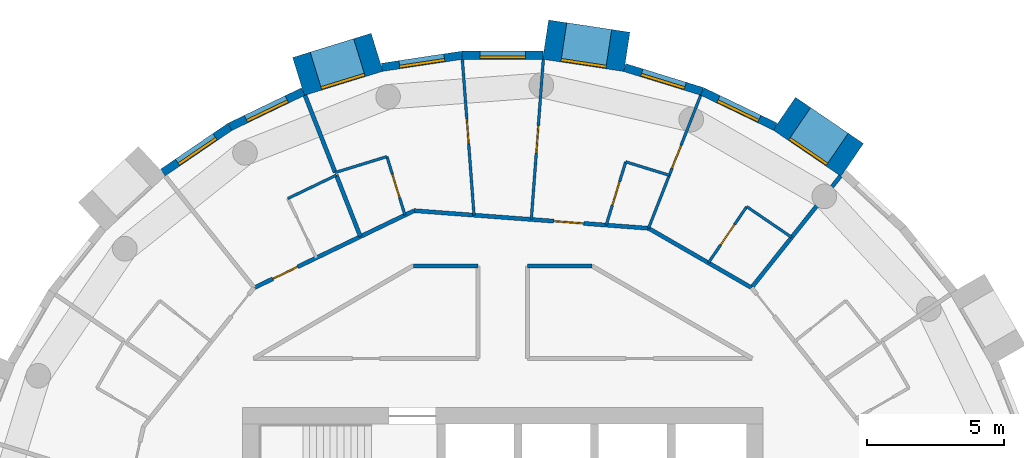
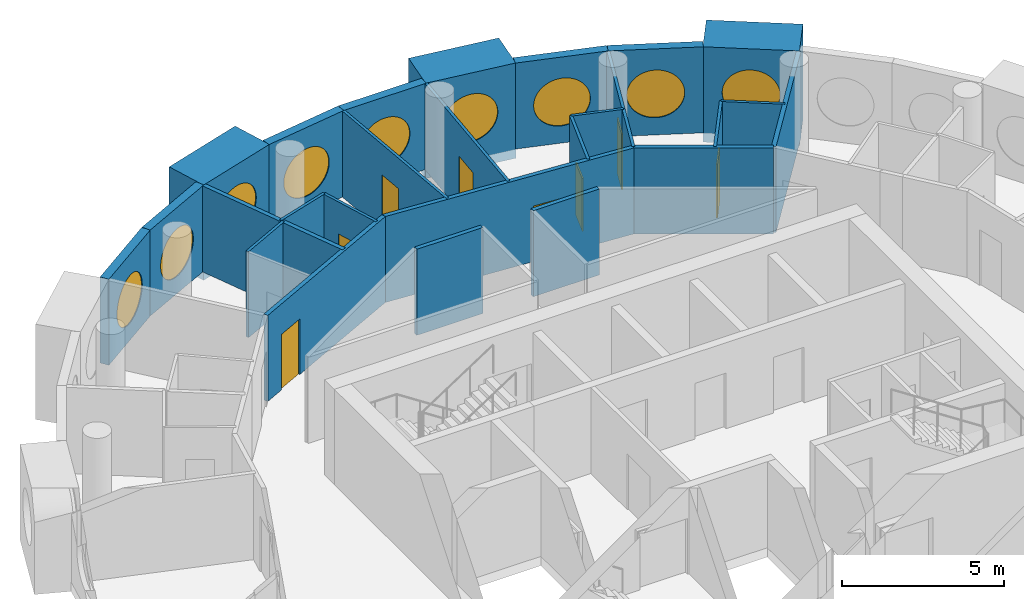
# One storey, part 10 of 12: 28 walls, 9 windows, 8 doors, 17 openings.
"""IFC4 building model written with IfcOpenShell, lengths in metres."""

from ifc_helpers import new_model, si_unit, direction, frame, frame_2d, origin, origin_2d, place, context, subcontext, project, spatial, rectangle, circle, extrude, material, layer, layer_set, type_object, element, fill, save


model = new_model("IFC4")

# Units and contexts
model_context = context("Model", 3, precision=1e-05, world=origin(), true_north=direction((0.0, 1.0)))
body_context = subcontext(model_context, "Body", "Model", "MODEL_VIEW")
ifc_project = project(units=[si_unit("LENGTHUNIT", "METRE"), si_unit("AREAUNIT", "SQUARE_METRE"), si_unit("VOLUMEUNIT", "CUBIC_METRE"), si_unit("PLANEANGLEUNIT", "RADIAN"), si_unit("MASSUNIT", "GRAM", prefix="KILO")], contexts=[model_context])

# Site, building, storey
site_placement = place(None, origin())
site = spatial("IfcSite", under=ifc_project, at=site_placement, CompositionType="ELEMENT")
building_placement = place(site_placement, origin())
building = spatial("IfcBuilding", under=site, at=building_placement, Name="Tracery Tower", CompositionType="ELEMENT")
storey_placement = place(building_placement, frame((0.0, 0.0, 312.60009765625)))
storey = spatial("IfcBuildingStorey", under=building, at=storey_placement, Name="L81", CompositionType="ELEMENT", Elevation=312.60009765625)

# Wall, opening, window
ifc_material_1 = material(Name="Precast concrete C50/60", Category="concrete")
ifc_layer_1 = layer(ifc_material_1, 1.449951171875)
ifc_layer_set_1 = layer_set([ifc_layer_1], Name="Deep-set bay unit 3000 x 3600, slab edge 350")
wall_type_1 = type_object("IfcWallType", Name="Deep-set bay unit 3000 x 3600, slab edge 350", PredefinedType="ELEMENTEDWALL", material=ifc_layer_set_1)
wall_1_placement = place(storey_placement, frame((12.754150390625, 16.044189453125, -0.35009765625), z_axis=(0.0, 0.0, 1.0), x_axis=(-0.826246281157, 0.563309047392, 0.0)))
wall_1 = element("IfcWall", 1, at=wall_1_placement, inside=storey, type_object=wall_type_1, Name="Deep-set bay unit 7 at L81", PredefinedType="ELEMENTEDWALL", context=body_context, shape_type="SweptSolid", body=[
    extrude(rectangle(XDim=3.0, YDim=1.449951171875, at=frame_2d((1.5, 0.0))), origin(), (0.0, 0.0, 1.0), 3.60009765625),
])
opening_1_placement = place(wall_1_placement, frame((1.5, 0.0, 1.89990234375)))
opening_1 = element("IfcOpeningElement", 2, at=opening_1_placement, cuts=wall_1, Name="Opening WN1", PredefinedType="OPENING", context=body_context, shape_type="SweptSolid", body=[
    extrude(circle(Radius=0.9000244140625, at=origin_2d()), frame((0.0, 0.73486328125, 0.0), z_axis=(0.0, -1.0, 0.0), x_axis=(1.0, 0.0, 0.0)), (0.0, 0.0, 1.0), 1.469970703125),
])
ifc_material_2 = material(Name="Aluminium frame with tinted double glazing", Category="aluminium")
window_type = type_object("IfcWindowType", Name="Round window 1800", PartitioningType="SINGLE_PANEL", PredefinedType="WINDOW", material=ifc_material_2)
window_1_placement = place(opening_1_placement, origin())
window_1 = element("IfcWindow", 3, at=window_1_placement, inside=storey, type_object=window_type, Name="Round window 7 at L81", OverallHeight=1.800048828125, OverallWidth=1.800048828125, PartitioningType="SINGLE_PANEL", PredefinedType="WINDOW", context=body_context, shape_type="SweptSolid", body=[
    extrude(circle(Radius=0.9000244140625, at=origin_2d()), frame((0.0, 0.69482421875, 0.0), z_axis=(0.0, -1.0, 0.0), x_axis=(1.0, 0.0, 0.0)), (0.0, 0.0, 1.0), 0.10009765625),
])
fill(opening_1, window_1)

wall_2_placement = place(storey_placement, frame((4.52978515625, 19.9892578125, -0.35009765625), z_axis=(0.0, 0.0, 1.0), x_axis=(-0.988836445254, 0.149004981587, 0.0)))
wall_2 = element("IfcWall", 4, at=wall_2_placement, inside=storey, type_object=wall_type_1, Name="Deep-set bay unit 10 at L81", PredefinedType="ELEMENTEDWALL", context=body_context, shape_type="SweptSolid", body=[
    extrude(rectangle(XDim=3.0, YDim=1.449951171875, at=frame_2d((1.5, 0.0))), origin(), (0.0, 0.0, 1.0), 3.60009765625),
])
opening_2_placement = place(wall_2_placement, frame((1.5, 0.0, 1.89990234375)))
opening_2 = element("IfcOpeningElement", 5, at=opening_2_placement, cuts=wall_2, Name="Opening WN1", PredefinedType="OPENING", context=body_context, shape_type="SweptSolid", body=[
    extrude(circle(Radius=0.9000244140625, at=origin_2d()), frame((0.0, 0.73486328125, 0.0), z_axis=(0.0, -1.0, 0.0), x_axis=(1.0, 0.0, 0.0)), (0.0, 0.0, 1.0), 1.469970703125),
])
window_2_placement = place(opening_2_placement, origin())
window_2 = element("IfcWindow", 6, at=window_2_placement, inside=storey, type_object=window_type, Name="Round window 10 at L81", OverallHeight=1.800048828125, OverallWidth=1.800048828125, PartitioningType="SINGLE_PANEL", PredefinedType="WINDOW", context=body_context, shape_type="SweptSolid", body=[
    extrude(circle(Radius=0.9000244140625, at=origin_2d()), frame((0.0, 0.69482421875, 0.0), z_axis=(0.0, -1.0, 0.0), x_axis=(1.0, 0.0, 0.0)), (0.0, 0.0, 1.0), 0.10009765625),
])
fill(opening_2, window_2)

wall_3_placement = place(storey_placement, frame((-4.591796875, 19.97509765625, -0.35009765625), z_axis=(0.0, 0.0, 1.0), x_axis=(-0.955571139978, -0.294760574774, 0.0)))
wall_3 = element("IfcWall", 7, at=wall_3_placement, inside=storey, type_object=wall_type_1, Name="Deep-set bay unit 13 at L81", PredefinedType="ELEMENTEDWALL", context=body_context, shape_type="SweptSolid", body=[
    extrude(rectangle(XDim=3.0, YDim=1.449951171875, at=frame_2d((1.5, 0.0))), origin(), (0.0, 0.0, 1.0), 3.60009765625),
])
opening_3_placement = place(wall_3_placement, frame((1.5, 0.0, 1.89990234375)))
opening_3 = element("IfcOpeningElement", 8, at=opening_3_placement, cuts=wall_3, Name="Opening WN1", PredefinedType="OPENING", context=body_context, shape_type="SweptSolid", body=[
    extrude(circle(Radius=0.9000244140625, at=origin_2d()), frame((0.0, 0.73486328125, 0.0), z_axis=(0.0, -1.0, 0.0), x_axis=(1.0, 0.0, 0.0)), (0.0, 0.0, 1.0), 1.469970703125),
])
window_3_placement = place(opening_3_placement, origin())
window_3 = element("IfcWindow", 9, at=window_3_placement, inside=storey, type_object=window_type, Name="Round window 13 at L81", OverallHeight=1.800048828125, OverallWidth=1.800048828125, PartitioningType="SINGLE_PANEL", PredefinedType="WINDOW", context=body_context, shape_type="SweptSolid", body=[
    extrude(circle(Radius=0.9000244140625, at=origin_2d()), frame((0.0, 0.69482421875, 0.0), z_axis=(0.0, -1.0, 0.0), x_axis=(1.0, 0.0, 0.0)), (0.0, 0.0, 1.0), 0.10009765625),
])
fill(opening_3, window_3)

ifc_material_3 = material(Name="Precast concrete C50/60", Category="concrete")
ifc_layer_2 = layer(ifc_material_3, 0.300048828125)
ifc_layer_set_2 = layer_set([ifc_layer_2], Name="Facade panel 3000 x 3250")
wall_type_2 = type_object("IfcWallType", Name="Facade panel 3000 x 3250", PredefinedType="SOLIDWALL", material=ifc_layer_set_2)
wall_4_placement = place(storey_placement, frame((9.947021484375, 17.25927734375, 0.0), z_axis=(0.0, 0.0, 1.0), x_axis=(-0.900939615635, 0.433944476838, 0.0)))
wall_4 = element("IfcWall", 10, at=wall_4_placement, inside=storey, type_object=wall_type_2, Name="Facade panel 8 at L81", PredefinedType="SOLIDWALL", context=body_context, shape_type="SweptSolid", body=[
    extrude(rectangle(XDim=2.962158203125, YDim=0.300048828125, at=frame_2d((1.48095703125, 0.0))), origin(), (0.0, 0.0, 1.0), 3.25),
])
opening_4_placement = place(wall_4_placement, frame((1.48095703125, 0.0, 1.5498046875)))
opening_4 = element("IfcOpeningElement", 11, at=opening_4_placement, cuts=wall_4, Name="Opening WN1", PredefinedType="OPENING", context=body_context, shape_type="SweptSolid", body=[
    extrude(circle(Radius=0.9000244140625, at=origin_2d()), frame((0.0, 0.159912109375, 0.0), z_axis=(0.0, -1.0, 0.0), x_axis=(1.0, 0.0, 0.0)), (0.0, 0.0, 1.0), 0.320068359375),
])
window_4_placement = place(opening_4_placement, origin())
window_4 = element("IfcWindow", 12, at=window_4_placement, inside=storey, type_object=window_type, Name="Round window 8 at L81", OverallHeight=1.800048828125, OverallWidth=1.800048828125, PartitioningType="SINGLE_PANEL", PredefinedType="WINDOW", context=body_context, shape_type="SweptSolid", body=[
    extrude(circle(Radius=0.9000244140625, at=origin_2d()), frame((0.0, 0.1201171875, 0.0), z_axis=(0.0, -1.0, 0.0), x_axis=(1.0, 0.0, 0.0)), (0.0, 0.0, 1.0), 0.10009765625),
])
fill(opening_4, window_4)

wall_5_placement = place(storey_placement, frame((7.2783203125, 18.544677734375, 0.0), z_axis=(0.0, 0.0, 1.0), x_axis=(-0.95558635705, 0.294711238707, 0.0)))
wall_5 = element("IfcWall", 13, at=wall_5_placement, inside=storey, type_object=wall_type_2, Name="Facade panel 9 at L81", PredefinedType="SOLIDWALL", context=body_context, shape_type="SweptSolid", body=[
    extrude(rectangle(XDim=2.96240234375, YDim=0.300048828125, at=frame_2d((1.481201171875, 0.0))), origin(), (0.0, 0.0, 1.0), 3.25),
])
opening_5_placement = place(wall_5_placement, frame((1.48095703125, 0.0, 1.5498046875)))
opening_5 = element("IfcOpeningElement", 14, at=opening_5_placement, cuts=wall_5, Name="Opening WN1", PredefinedType="OPENING", context=body_context, shape_type="SweptSolid", body=[
    extrude(circle(Radius=0.9000244140625, at=origin_2d()), frame((0.0, 0.159912109375, 0.0), z_axis=(0.0, -1.0, 0.0), x_axis=(1.0, 0.0, 0.0)), (0.0, 0.0, 1.0), 0.320068359375),
])
window_5_placement = place(opening_5_placement, origin())
window_5 = element("IfcWindow", 15, at=window_5_placement, inside=storey, type_object=window_type, Name="Round window 9 at L81", OverallHeight=1.800048828125, OverallWidth=1.800048828125, PartitioningType="SINGLE_PANEL", PredefinedType="WINDOW", context=body_context, shape_type="SweptSolid", body=[
    extrude(circle(Radius=0.9000244140625, at=origin_2d()), frame((0.0, 0.1201171875, 0.0), z_axis=(0.0, -1.0, 0.0), x_axis=(1.0, 0.0, 0.0)), (0.0, 0.0, 1.0), 0.10009765625),
])
fill(opening_5, window_5)

wall_6_placement = place(storey_placement, frame((1.473388671875, 19.865966796875, 0.0), z_axis=(0.0, 0.0, 1.0), x_axis=(-1.0, 0.0, 0.0)))
wall_6 = element("IfcWall", 16, at=wall_6_placement, inside=storey, type_object=wall_type_2, Name="Facade panel 11 at L81", PredefinedType="SOLIDWALL", context=body_context, shape_type="SweptSolid", body=[
    extrude(rectangle(XDim=2.962158203125, YDim=0.300048828125, at=frame_2d((1.48095703125, 0.0))), origin(), (0.0, 0.0, 1.0), 3.25),
])
opening_6_placement = place(wall_6_placement, frame((1.48095703125, 0.0, 1.5498046875)))
opening_6 = element("IfcOpeningElement", 17, at=opening_6_placement, cuts=wall_6, Name="Opening WN1", PredefinedType="OPENING", context=body_context, shape_type="SweptSolid", body=[
    extrude(circle(Radius=0.9000244140625, at=origin_2d()), frame((0.0, 0.159912109375, 0.0), z_axis=(0.0, -1.0, 0.0), x_axis=(1.0, 0.0, 0.0)), (0.0, 0.0, 1.0), 0.320068359375),
])
window_6_placement = place(opening_6_placement, origin())
window_6 = element("IfcWindow", 18, at=window_6_placement, inside=storey, type_object=window_type, Name="Round window 11 at L81", OverallHeight=1.800048828125, OverallWidth=1.800048828125, PartitioningType="SINGLE_PANEL", PredefinedType="WINDOW", context=body_context, shape_type="SweptSolid", body=[
    extrude(circle(Radius=0.9000244140625, at=origin_2d()), frame((0.0, 0.1201171875, 0.0), z_axis=(0.0, -1.0, 0.0), x_axis=(1.0, 0.0, 0.0)), (0.0, 0.0, 1.0), 0.10009765625),
])
fill(opening_6, window_6)

wall_7_placement = place(storey_placement, frame((-1.48876953125, 19.865966796875, 0.0), z_axis=(0.0, 0.0, 1.0), x_axis=(-0.988835775663, -0.149009425104, 0.0)))
wall_7 = element("IfcWall", 19, at=wall_7_placement, inside=storey, type_object=wall_type_2, Name="Facade panel 12 at L81", PredefinedType="SOLIDWALL", context=body_context, shape_type="SweptSolid", body=[
    extrude(rectangle(XDim=2.962158203125, YDim=0.300048828125, at=frame_2d((1.48095703125, 0.0))), origin(), (0.0, 0.0, 1.0), 3.25),
])
opening_7_placement = place(wall_7_placement, frame((1.48095703125, 0.0, 1.5498046875)))
opening_7 = element("IfcOpeningElement", 20, at=opening_7_placement, cuts=wall_7, Name="Opening WN1", PredefinedType="OPENING", context=body_context, shape_type="SweptSolid", body=[
    extrude(circle(Radius=0.9000244140625, at=origin_2d()), frame((0.0, 0.159912109375, 0.0), z_axis=(0.0, -1.0, 0.0), x_axis=(1.0, 0.0, 0.0)), (0.0, 0.0, 1.0), 0.320068359375),
])
window_7_placement = place(opening_7_placement, origin())
window_7 = element("IfcWindow", 21, at=window_7_placement, inside=storey, type_object=window_type, Name="Round window 12 at L81", OverallHeight=1.800048828125, OverallWidth=1.800048828125, PartitioningType="SINGLE_PANEL", PredefinedType="WINDOW", context=body_context, shape_type="SweptSolid", body=[
    extrude(circle(Radius=0.9000244140625, at=origin_2d()), frame((0.0, 0.1201171875, 0.0), z_axis=(0.0, -1.0, 0.0), x_axis=(1.0, 0.0, 0.0)), (0.0, 0.0, 1.0), 0.10009765625),
])
fill(opening_7, window_7)

wall_8_placement = place(storey_placement, frame((-7.2919921875, 18.5380859375, 0.0), z_axis=(0.0, 0.0, 1.0), x_axis=(-0.90095513435, -0.433912255978, 0.0)))
wall_8 = element("IfcWall", 22, at=wall_8_placement, inside=storey, type_object=wall_type_2, Name="Facade panel 14 at L81", PredefinedType="SOLIDWALL", context=body_context, shape_type="SweptSolid", body=[
    extrude(rectangle(XDim=2.96240234375, YDim=0.300048828125, at=frame_2d((1.481201171875, 0.0))), origin(), (0.0, 0.0, 1.0), 3.25),
])
opening_8_placement = place(wall_8_placement, frame((1.48095703125, 0.0, 1.5498046875)))
opening_8 = element("IfcOpeningElement", 23, at=opening_8_placement, cuts=wall_8, Name="Opening WN1", PredefinedType="OPENING", context=body_context, shape_type="SweptSolid", body=[
    extrude(circle(Radius=0.9000244140625, at=origin_2d()), frame((0.0, 0.159912109375, 0.0), z_axis=(0.0, -1.0, 0.0), x_axis=(1.0, 0.0, 0.0)), (0.0, 0.0, 1.0), 0.320068359375),
])
window_8_placement = place(opening_8_placement, origin())
window_8 = element("IfcWindow", 24, at=window_8_placement, inside=storey, type_object=window_type, Name="Round window 14 at L81", OverallHeight=1.800048828125, OverallWidth=1.800048828125, PartitioningType="SINGLE_PANEL", PredefinedType="WINDOW", context=body_context, shape_type="SweptSolid", body=[
    extrude(circle(Radius=0.9000244140625, at=origin_2d()), frame((0.0, 0.1201171875, 0.0), z_axis=(0.0, -1.0, 0.0), x_axis=(1.0, 0.0, 0.0)), (0.0, 0.0, 1.0), 0.10009765625),
])
fill(opening_8, window_8)

wall_9_placement = place(storey_placement, frame((-9.9609375, 17.252685546875, 0.0), z_axis=(0.0, 0.0, 1.0), x_axis=(-0.826236061068, -0.563324037646, 0.0)))
wall_9 = element("IfcWall", 25, at=wall_9_placement, inside=storey, type_object=wall_type_2, Name="Facade panel 15 at L81", PredefinedType="SOLIDWALL", context=body_context, shape_type="SweptSolid", body=[
    extrude(rectangle(XDim=2.962158203125, YDim=0.300048828125, at=frame_2d((1.48095703125, 0.0))), origin(), (0.0, 0.0, 1.0), 3.25),
])
opening_9_placement = place(wall_9_placement, frame((1.48095703125, 0.0, 1.5498046875)))
opening_9 = element("IfcOpeningElement", 26, at=opening_9_placement, cuts=wall_9, Name="Opening WN1", PredefinedType="OPENING", context=body_context, shape_type="SweptSolid", body=[
    extrude(circle(Radius=0.9000244140625, at=origin_2d()), frame((0.0, 0.159912109375, 0.0), z_axis=(0.0, -1.0, 0.0), x_axis=(1.0, 0.0, 0.0)), (0.0, 0.0, 1.0), 0.320068359375),
])
window_9_placement = place(opening_9_placement, origin())
window_9 = element("IfcWindow", 27, at=window_9_placement, inside=storey, type_object=window_type, Name="Round window 15 at L81", OverallHeight=1.800048828125, OverallWidth=1.800048828125, PartitioningType="SINGLE_PANEL", PredefinedType="WINDOW", context=body_context, shape_type="SweptSolid", body=[
    extrude(circle(Radius=0.9000244140625, at=origin_2d()), frame((0.0, 0.1201171875, 0.0), z_axis=(0.0, -1.0, 0.0), x_axis=(1.0, 0.0, 0.0)), (0.0, 0.0, 1.0), 0.10009765625),
])
fill(opening_9, window_9)

# Wall, opening, door
ifc_material_4 = material(Name="Plasterboard on steel studs", Category="steel")
ifc_layer_3 = layer(ifc_material_4, 0.10009765625)
ifc_layer_set_3 = layer_set([ifc_layer_3], Name="Partition 100 stud")
wall_type_3 = type_object("IfcWallType", Name="Partition 100 stud", PredefinedType="PARTITIONING", material=ifc_layer_set_3)
wall_10_placement = place(storey_placement, frame((1.0400390625, 13.87109375, 0.0), z_axis=(0.0, 0.0, 1.0), x_axis=(0.074724712234, 0.997204200443, 0.0)))
wall_10 = element("IfcWall", 28, at=wall_10_placement, inside=storey, type_object=wall_type_3, Name="Stud partition RC8-054", PredefinedType="PARTITIONING", context=body_context, shape_type="SweptSolid", body=[
    extrude(rectangle(XDim=5.861328125, YDim=0.10009765625, at=frame_2d((2.9306640625, 0.0))), origin(), (0.0, 0.0, 1.0), 3.25),
])
opening_10_placement = place(wall_10_placement, frame((2.430908203125, 0.0, 0.0)))
opening_10 = element("IfcOpeningElement", 29, at=opening_10_placement, cuts=wall_10, Name="Opening RC8-11", PredefinedType="OPENING", context=body_context, shape_type="SweptSolid", body=[
    extrude(rectangle(XDim=1.0, YDim=2.0400390625, at=frame_2d((0.5, 1.02001953125))), frame((0.0, 0.050048828125, 0.0), z_axis=(0.0, -1.0, 0.0), x_axis=(1.0, 0.0, 0.0)), (0.0, 0.0, 1.0), 0.10009765625),
])
ifc_material_5 = material(Name="Timber door leaf", Category="wood")
door_type_1 = type_object("IfcDoorType", Name="Door communal room 1000", OperationType="NOTDEFINED", PredefinedType="DOOR", material=ifc_material_5)
door_1_placement = place(opening_10_placement, origin())
door_1 = element("IfcDoor", 30, at=door_1_placement, inside=storey, type_object=door_type_1, Name="Communal room door RC8-11", OperationType="SINGLE_SWING_RIGHT", OverallHeight=2.0400390625, OverallWidth=1.0, PredefinedType="DOOR", context=body_context, shape_type="SweptSolid", body=[
    extrude(rectangle(XDim=1.0, YDim=2.0400390625, at=frame_2d((0.5, 1.02001953125))), frame((0.0, 0.02490234375, 0.0), z_axis=(0.0, -1.0, 0.0), x_axis=(1.0, 0.0, 0.0)), (0.0, 0.0, 1.0), 0.050048828125),
])
fill(opening_10, door_1)

wall_11_placement = place(storey_placement, frame((6.076904296875, 15.485107421875, 0.0), z_axis=(0.0, 0.0, 1.0), x_axis=(0.365344119851, 0.93087253375, 0.0)))
wall_11 = element("IfcWall", 31, at=wall_11_placement, inside=storey, type_object=wall_type_3, Name="Stud partition RC8-057", PredefinedType="PARTITIONING", context=body_context, shape_type="SweptSolid", body=[
    extrude(rectangle(XDim=3.13671875, YDim=0.10009765625, at=frame_2d((1.568359375, 0.0))), origin(), (0.0, 0.0, 1.0), 3.25),
])
opening_11_placement = place(wall_11_placement, frame((0.27685546875, 0.0, 0.0)))
opening_11 = element("IfcOpeningElement", 32, at=opening_11_placement, cuts=wall_11, Name="Opening RC8-13", PredefinedType="OPENING", context=body_context, shape_type="SweptSolid", body=[
    extrude(rectangle(XDim=0.89990234375, YDim=2.10009765625, at=frame_2d((0.449951171875, 1.050048828125))), frame((0.0, 0.050048828125, 0.0), z_axis=(0.0, -1.0, 0.0), x_axis=(1.0, 0.0, 0.0)), (0.0, 0.0, 1.0), 0.10009765625),
])
ifc_material_6 = material(Name="Timber door leaf", Category="wood")
door_type_2 = type_object("IfcDoorType", Name="Door bedroom 900", OperationType="NOTDEFINED", PredefinedType="DOOR", material=ifc_material_6)
door_2_placement = place(opening_11_placement, origin())
door_2 = element("IfcDoor", 33, at=door_2_placement, inside=storey, type_object=door_type_2, Name="Bedroom door RC8-13", OperationType="SINGLE_SWING_RIGHT", OverallHeight=2.10009765625, OverallWidth=0.89990234375, PredefinedType="DOOR", context=body_context, shape_type="SweptSolid", body=[
    extrude(rectangle(XDim=0.89990234375, YDim=2.10009765625, at=frame_2d((0.449951171875, 1.050048828125))), frame((0.0, 0.02490234375, 0.0), z_axis=(0.0, -1.0, 0.0), x_axis=(1.0, 0.0, 0.0)), (0.0, 0.0, 1.0), 0.050048828125),
])
fill(opening_11, door_2)

wall_12_placement = place(storey_placement, frame((-1.47802734375, 19.716064453125, 0.0), z_axis=(0.0, 0.0, 1.0), x_axis=(0.074860175832, -0.997194040332, 0.0)))
wall_12 = element("IfcWall", 34, at=wall_12_placement, inside=storey, type_object=wall_type_3, Name="Stud partition RC8-058", PredefinedType="PARTITIONING", context=body_context, shape_type="SweptSolid", body=[
    extrude(rectangle(XDim=5.7041015625, YDim=0.10009765625, at=frame_2d((2.85205078125, 0.0))), origin(), (0.0, 0.0, 1.0), 3.25),
])
opening_12_placement = place(wall_12_placement, frame((2.181884765625, 0.0, 0.0)))
opening_12 = element("IfcOpeningElement", 35, at=opening_12_placement, cuts=wall_12, Name="Opening RC8-15", PredefinedType="OPENING", context=body_context, shape_type="SweptSolid", body=[
    extrude(rectangle(XDim=0.89990234375, YDim=2.10009765625, at=frame_2d((0.449951171875, 1.050048828125))), frame((0.0, 0.050048828125, 0.0), z_axis=(0.0, -1.0, 0.0), x_axis=(1.0, 0.0, 0.0)), (0.0, 0.0, 1.0), 0.10009765625),
])
door_3_placement = place(opening_12_placement, origin())
door_3 = element("IfcDoor", 36, at=door_3_placement, inside=storey, type_object=door_type_2, Name="Bedroom door RC8-15", OperationType="SINGLE_SWING_RIGHT", OverallHeight=2.10009765625, OverallWidth=0.89990234375, PredefinedType="DOOR", context=body_context, shape_type="SweptSolid", body=[
    extrude(rectangle(XDim=0.89990234375, YDim=2.10009765625, at=frame_2d((0.449951171875, 1.050048828125))), frame((0.0, 0.02490234375, 0.0), z_axis=(0.0, -1.0, 0.0), x_axis=(1.0, 0.0, 0.0)), (0.0, 0.0, 1.0), 0.050048828125),
])
fill(opening_12, door_3)

# Wall
ifc_material_7 = material(Name="Plasterboard on steel studs", Category="steel")
ifc_layer_4 = layer(ifc_material_7, 0.10009765625)
ifc_layer_set_4 = layer_set([ifc_layer_4], Name="Partition 100 wet wall")
wall_type_4 = type_object("IfcWallType", Name="Partition 100 wet wall", PredefinedType="PARTITIONING", material=ifc_layer_set_4)
wall_13_placement = place(storey_placement, frame((4.486083984375, 15.97607421875, 0.0), z_axis=(0.0, 0.0, 1.0), x_axis=(0.955528179313, -0.294899811019, 0.0)))
element("IfcWall", 37, at=wall_13_placement, inside=storey, type_object=wall_type_4, Name="Wet wall RC8-055", PredefinedType="PARTITIONING", context=body_context, shape_type="SweptSolid", body=[
    extrude(rectangle(XDim=1.664794921875, YDim=0.10009765625, at=frame_2d((0.83251953125, 0.0))), origin(), (0.0, 0.0, 1.0), 3.25),
])

# Wall, opening, door
wall_14_placement = place(storey_placement, frame((3.77294921875, 13.6669921875, 0.0), z_axis=(0.0, 0.0, 1.0), x_axis=(0.295086629105, 0.955470502592, 0.0)))
wall_14 = element("IfcWall", 38, at=wall_14_placement, inside=storey, type_object=wall_type_4, Name="Wet wall RC8-056", PredefinedType="PARTITIONING", context=body_context, shape_type="SweptSolid", body=[
    extrude(rectangle(XDim=2.416748046875, YDim=0.10009765625, at=frame_2d((1.20849609375, 0.0))), origin(), (0.0, 0.0, 1.0), 3.25),
])
opening_13_placement = place(wall_14_placement, frame((0.758544921875, 0.0, 0.0)))
opening_13 = element("IfcOpeningElement", 39, at=opening_13_placement, cuts=wall_14, Name="Opening RC8-12", PredefinedType="OPENING", context=body_context, shape_type="SweptSolid", body=[
    extrude(rectangle(XDim=0.89990234375, YDim=2.0, at=frame_2d((0.449951171875, 1.0))), frame((0.0, 0.050048828125, 0.0), z_axis=(0.0, -1.0, 0.0), x_axis=(1.0, 0.0, 0.0)), (0.0, 0.0, 1.0), 0.10009765625),
])
ifc_material_8 = material(Name="Timber door leaf", Category="wood")
door_type_3 = type_object("IfcDoorType", Name="Door shower room 900", OperationType="NOTDEFINED", PredefinedType="DOOR", material=ifc_material_8)
door_4_placement = place(opening_13_placement, origin())
door_4 = element("IfcDoor", 40, at=door_4_placement, inside=storey, type_object=door_type_3, Name="Shower room door RC8-12", OperationType="SINGLE_SWING_LEFT", OverallHeight=2.0, OverallWidth=0.89990234375, PredefinedType="DOOR", context=body_context, shape_type="SweptSolid", body=[
    extrude(rectangle(XDim=0.89990234375, YDim=2.0, at=frame_2d((0.449951171875, 1.0))), frame((0.0, 0.02490234375, 0.0), z_axis=(0.0, -1.0, 0.0), x_axis=(1.0, 0.0, 0.0)), (0.0, 0.0, 1.0), 0.050048828125),
])
fill(opening_13, door_4)

# Walls
wall_15_placement = place(storey_placement, frame((5.318115234375, 13.551025390625, 0.0), z_axis=(0.0, 0.0, 1.0), x_axis=(0.365223322063, 0.930919934807, 0.0)))
element("IfcWall", 41, at=wall_15_placement, inside=storey, type_object=wall_type_4, Name="Wet wall RC8-059", PredefinedType="PARTITIONING", context=body_context, shape_type="SweptSolid", body=[
    extrude(rectangle(XDim=2.07763671875, YDim=0.10009765625, at=frame_2d((1.038818359375, 0.0))), origin(), (0.0, 0.0, 1.0), 3.25),
])
wall_16_placement = place(storey_placement, frame((8.902099609375, 14.340087890625, 0.0), z_axis=(0.0, 0.0, 1.0), x_axis=(0.826141514998, -0.563462684831, 0.0)))
element("IfcWall", 42, at=wall_16_placement, inside=storey, type_object=wall_type_4, Name="Wet wall RC8-060", PredefinedType="PARTITIONING", context=body_context, shape_type="SweptSolid", body=[
    extrude(rectangle(XDim=1.986083984375, YDim=0.10009765625, at=frame_2d((0.9931640625, 0.0))), origin(), (0.0, 0.0, 1.0), 3.25),
])

# Wall, opening, door
wall_17_placement = place(storey_placement, frame((7.50390625, 12.2890625, 0.0), z_axis=(0.0, 0.0, 1.0), x_axis=(0.563272733387, 0.826271037749, 0.0)))
wall_17 = element("IfcWall", 43, at=wall_17_placement, inside=storey, type_object=wall_type_4, Name="Wet wall RC8-061", PredefinedType="PARTITIONING", context=body_context, shape_type="SweptSolid", body=[
    extrude(rectangle(XDim=2.482177734375, YDim=0.10009765625, at=frame_2d((1.2412109375, 0.0))), origin(), (0.0, 0.0, 1.0), 3.25),
])
opening_14_placement = place(wall_17_placement, frame((0.791015625, 0.0, 0.0)))
opening_14 = element("IfcOpeningElement", 44, at=opening_14_placement, cuts=wall_17, Name="Opening RC8-14", PredefinedType="OPENING", context=body_context, shape_type="SweptSolid", body=[
    extrude(rectangle(XDim=0.89990234375, YDim=2.0400390625, at=frame_2d((0.449951171875, 1.02001953125))), frame((0.0, 0.050048828125, 0.0), z_axis=(0.0, -1.0, 0.0), x_axis=(1.0, 0.0, 0.0)), (0.0, 0.0, 1.0), 0.10009765625),
])
ifc_material_9 = material(Name="Timber door leaf", Category="wood")
door_type_4 = type_object("IfcDoorType", Name="Door en-suite 900", OperationType="NOTDEFINED", PredefinedType="DOOR", material=ifc_material_9)
door_5_placement = place(opening_14_placement, origin())
door_5 = element("IfcDoor", 45, at=door_5_placement, inside=storey, type_object=door_type_4, Name="En-suite door RC8-14", OperationType="SINGLE_SWING_LEFT", OverallHeight=2.0400390625, OverallWidth=0.89990234375, PredefinedType="DOOR", context=body_context, shape_type="SweptSolid", body=[
    extrude(rectangle(XDim=0.89990234375, YDim=2.0400390625, at=frame_2d((0.449951171875, 1.02001953125))), frame((0.0, 0.02490234375, 0.0), z_axis=(0.0, -1.0, 0.0), x_axis=(1.0, 0.0, 0.0)), (0.0, 0.0, 1.0), 0.050048828125),
])
fill(opening_14, door_5)

wall_18_placement = place(storey_placement, frame((-4.23095703125, 16.166015625, 0.0), z_axis=(0.0, 0.0, 1.0), x_axis=(0.295030507093, -0.955487833457, 0.0)))
wall_18 = element("IfcWall", 46, at=wall_18_placement, inside=storey, type_object=wall_type_4, Name="Wet wall RC8-062", PredefinedType="PARTITIONING", context=body_context, shape_type="SweptSolid", body=[
    extrude(rectangle(XDim=2.2333984375, YDim=0.10009765625, at=frame_2d((1.11669921875, 0.0))), origin(), (0.0, 0.0, 1.0), 3.25),
])
opening_15_placement = place(wall_18_placement, frame((0.66650390625, 0.0, 0.0)))
opening_15 = element("IfcOpeningElement", 47, at=opening_15_placement, cuts=wall_18, Name="Opening RC8-16", PredefinedType="OPENING", context=body_context, shape_type="SweptSolid", body=[
    extrude(rectangle(XDim=0.89990234375, YDim=2.0400390625, at=frame_2d((0.449951171875, 1.02001953125))), frame((0.0, 0.050048828125, 0.0), z_axis=(0.0, -1.0, 0.0), x_axis=(1.0, 0.0, 0.0)), (0.0, 0.0, 1.0), 0.10009765625),
])
door_6_placement = place(opening_15_placement, origin())
door_6 = element("IfcDoor", 48, at=door_6_placement, inside=storey, type_object=door_type_4, Name="En-suite door RC8-16", OperationType="SINGLE_SWING_RIGHT", OverallHeight=2.0400390625, OverallWidth=0.89990234375, PredefinedType="DOOR", context=body_context, shape_type="SweptSolid", body=[
    extrude(rectangle(XDim=0.89990234375, YDim=2.0400390625, at=frame_2d((0.449951171875, 1.02001953125))), frame((0.0, 0.02490234375, 0.0), z_axis=(0.0, -1.0, 0.0), x_axis=(1.0, 0.0, 0.0)), (0.0, 0.0, 1.0), 0.050048828125),
])
fill(opening_15, door_6)

# Walls
wall_19_placement = place(storey_placement, frame((-6.116943359375, 15.5849609375, 0.0), z_axis=(0.0, 0.0, 1.0), x_axis=(0.955671951668, 0.294433559219, 0.0)))
element("IfcWall", 49, at=wall_19_placement, inside=storey, type_object=wall_type_4, Name="Wet wall RC8-063", PredefinedType="PARTITIONING", context=body_context, shape_type="SweptSolid", body=[
    extrude(rectangle(XDim=1.973388671875, YDim=0.10009765625, at=frame_2d((0.98681640625, 0.0))), origin(), (0.0, 0.0, 1.0), 3.25),
])
wall_20_placement = place(storey_placement, frame((-7.85009765625, 14.635009765625, 0.0), z_axis=(0.0, 0.0, 1.0), x_axis=(0.900936932599, 0.433950047216, 0.0)))
element("IfcWall", 50, at=wall_20_placement, inside=storey, type_object=wall_type_4, Name="Wet wall RC8-066", PredefinedType="PARTITIONING", context=body_context, shape_type="SweptSolid", body=[
    extrude(rectangle(XDim=1.9658203125, YDim=0.10009765625, at=frame_2d((0.98291015625, 0.0))), origin(), (0.0, 0.0, 1.0), 3.25),
])
ifc_material_10 = material(Name="Plasterboard on steel studs", Category="steel")
ifc_layer_5 = layer(ifc_material_10, 0.14990234375)
ifc_layer_set_5 = layer_set([ifc_layer_5], Name="Partition 150 acoustic unit wall")
wall_type_5 = type_object("IfcWallType", Name="Partition 150 acoustic unit wall", PredefinedType="PARTITIONING", material=ifc_layer_set_5)
wall_21_placement = place(storey_placement, frame((9.076171875, 11.380859375, 0.0), z_axis=(0.0, 0.0, 1.0), x_axis=(0.623409504508, 0.781895510723, 0.0)))
element("IfcWall", 51, at=wall_21_placement, inside=storey, type_object=wall_type_5, Name="Unit wall RC8-053", PredefinedType="PARTITIONING", context=body_context, shape_type="SweptSolid", body=[
    extrude(rectangle(XDim=5.21435546875, YDim=0.14990234375, at=frame_2d((2.607177734375, 0.0))), origin(), (0.0, 0.0, 1.0), 3.25),
])
wall_22_placement = place(storey_placement, frame((-7.222900390625, 18.405029296875, 0.0), z_axis=(0.0, 0.0, 1.0), x_axis=(0.365101225584, -0.93096782709, 0.0)))
element("IfcWall", 52, at=wall_22_placement, inside=storey, type_object=wall_type_5, Name="Unit wall RC8-064", PredefinedType="PARTITIONING", context=body_context, shape_type="SweptSolid", body=[
    extrude(rectangle(XDim=3.029296875, YDim=0.14990234375, at=frame_2d((1.5146484375, 0.0))), origin(), (0.0, 0.0, 1.0), 3.25),
])
wall_23_placement = place(storey_placement, frame((-6.080078125, 15.491943359375, 0.0), z_axis=(0.0, 0.0, 1.0), x_axis=(0.36549883342, -0.930811797717, 0.0)))
element("IfcWall", 53, at=wall_23_placement, inside=storey, type_object=wall_type_5, Name="Unit wall RC8-065", PredefinedType="PARTITIONING", context=body_context, shape_type="SweptSolid", body=[
    extrude(rectangle(XDim=2.41064453125, YDim=0.14990234375, at=frame_2d((1.205322265625, 0.0))), origin(), (0.0, 0.0, 1.0), 3.25),
])
ifc_material_11 = material(Name="Plasterboard on steel studs", Category="steel")
ifc_layer_6 = layer(ifc_material_11, 0.14990234375)
ifc_layer_set_6 = layer_set([ifc_layer_6], Name="Partition 150 corridor wall")
wall_type_6 = type_object("IfcWallType", Name="Partition 150 corridor wall", PredefinedType="PARTITIONING", material=ifc_layer_set_6)
for number, where, z_axis, x_axis, name in (
    (54, (-3.260986328125, 12.1708984375, 0.0), (0.0, 0.0, 1.0), (1.0, 0.0, 0.0), "Corridor wall RC8-026"),
    (55, (0.89990234375, 12.1708984375, 0.0), (0.0, 0.0, 1.0), (1.0, 0.0, 0.0), "Corridor wall RC8-028"),
):
    element("IfcWall", number, at=place(storey_placement, frame(where, z_axis=z_axis, x_axis=x_axis)), inside=storey, type_object=wall_type_6, Name=name, PredefinedType="PARTITIONING", context=body_context, shape_type="SweptSolid", body=[
        extrude(rectangle(XDim=2.361083984375, YDim=0.14990234375, at=frame_2d((1.1806640625, 0.0))), origin(), (0.0, 0.0, 1.0), 3.25),
    ])

# Wall, opening, door
wall_24_placement = place(storey_placement, frame((-3.239013671875, 14.193359375, 0.0), z_axis=(0.0, 0.0, 1.0), x_axis=(0.997187999346, -0.074940602878, 0.0)))
wall_24 = element("IfcWall", 56, at=wall_24_placement, inside=storey, type_object=wall_type_6, Name="Corridor wall RC8-030", PredefinedType="PARTITIONING", context=body_context, shape_type="SweptSolid", body=[
    extrude(rectangle(XDim=8.5810546875, YDim=0.14990234375, at=frame_2d((4.29052734375, 0.0))), origin(), (0.0, 0.0, 1.0), 3.25),
])
opening_16_placement = place(wall_24_placement, frame((5.111083984375, 0.0, 0.0)))
opening_16 = element("IfcOpeningElement", 57, at=opening_16_placement, cuts=wall_24, Name="Opening RC8-10", PredefinedType="OPENING", context=body_context, shape_type="SweptSolid", body=[
    extrude(rectangle(XDim=1.10009765625, YDim=2.10009765625, at=frame_2d((0.550048828125, 1.050048828125))), frame((0.0, 0.074951171875, 0.0), z_axis=(0.0, -1.0, 0.0), x_axis=(1.0, 0.0, 0.0)), (0.0, 0.0, 1.0), 0.14990234375),
])
ifc_material_12 = material(Name="Timber door leaf", Category="wood")
door_type_5 = type_object("IfcDoorType", Name="Door cluster entrance 1100", OperationType="NOTDEFINED", PredefinedType="DOOR", material=ifc_material_12)
door_7_placement = place(opening_16_placement, origin())
door_7 = element("IfcDoor", 58, at=door_7_placement, inside=storey, type_object=door_type_5, Name="Cluster entrance door RC8-10", OperationType="SINGLE_SWING_LEFT", OverallHeight=2.10009765625, OverallWidth=1.10009765625, PredefinedType="DOOR", context=body_context, shape_type="SweptSolid", body=[
    extrude(rectangle(XDim=1.10009765625, YDim=2.10009765625, at=frame_2d((0.550048828125, 1.050048828125))), frame((0.0, 0.02490234375, 0.0), z_axis=(0.0, -1.0, 0.0), x_axis=(1.0, 0.0, 0.0)), (0.0, 0.0, 1.0), 0.050048828125),
])
fill(opening_16, door_7)

# Wall
wall_25_placement = place(storey_placement, frame((5.318115234375, 13.551025390625, 0.0), z_axis=(0.0, 0.0, 1.0), x_axis=(0.865990693744, -0.500060114735, 0.0)))
element("IfcWall", 59, at=wall_25_placement, inside=storey, type_object=wall_type_6, Name="Corridor wall RC8-031", PredefinedType="PARTITIONING", context=body_context, shape_type="SweptSolid", body=[
    extrude(rectangle(XDim=4.33935546875, YDim=0.14990234375, at=frame_2d((2.169677734375, 0.0))), origin(), (0.0, 0.0, 1.0), 3.25),
])

# Wall, opening, door
wall_26_placement = place(storey_placement, frame((-9.07470703125, 11.37841796875, 0.0), z_axis=(0.0, 0.0, 1.0), x_axis=(0.900778421649, 0.434278983018, 0.0)))
wall_26 = element("IfcWall", 60, at=wall_26_placement, inside=storey, type_object=wall_type_6, Name="Corridor wall RC8-032", PredefinedType="PARTITIONING", context=body_context, shape_type="SweptSolid", body=[
    extrude(rectangle(XDim=6.478515625, YDim=0.14990234375, at=frame_2d((3.2392578125, 0.0))), origin(), (0.0, 0.0, 1.0), 3.25),
])
opening_17_placement = place(wall_26_placement, frame((0.760009765625, 0.0, 0.0)))
opening_17 = element("IfcOpeningElement", 61, at=opening_17_placement, cuts=wall_26, Name="Opening RC8-18", PredefinedType="OPENING", context=body_context, shape_type="SweptSolid", body=[
    extrude(rectangle(XDim=1.0, YDim=2.10009765625, at=frame_2d((0.5, 1.050048828125))), frame((0.0, 0.074951171875, 0.0), z_axis=(0.0, -1.0, 0.0), x_axis=(1.0, 0.0, 0.0)), (0.0, 0.0, 1.0), 0.14990234375),
])
ifc_material_13 = material(Name="Timber door leaf", Category="wood")
door_type_6 = type_object("IfcDoorType", Name="Door unit entrance 1000", OperationType="NOTDEFINED", PredefinedType="DOOR", material=ifc_material_13)
door_8_placement = place(opening_17_placement, origin())
door_8 = element("IfcDoor", 62, at=door_8_placement, inside=storey, type_object=door_type_6, Name="Unit entrance door RC8-18", OperationType="SINGLE_SWING_LEFT", OverallHeight=2.10009765625, OverallWidth=1.0, PredefinedType="DOOR", context=body_context, shape_type="SweptSolid", body=[
    extrude(rectangle(XDim=1.0, YDim=2.10009765625, at=frame_2d((0.5, 1.050048828125))), frame((0.0, 0.02490234375, 0.0), z_axis=(0.0, -1.0, 0.0), x_axis=(1.0, 0.0, 0.0)), (0.0, 0.0, 1.0), 0.050048828125),
])
fill(opening_17, door_8)

save(model, "model.ifc")
